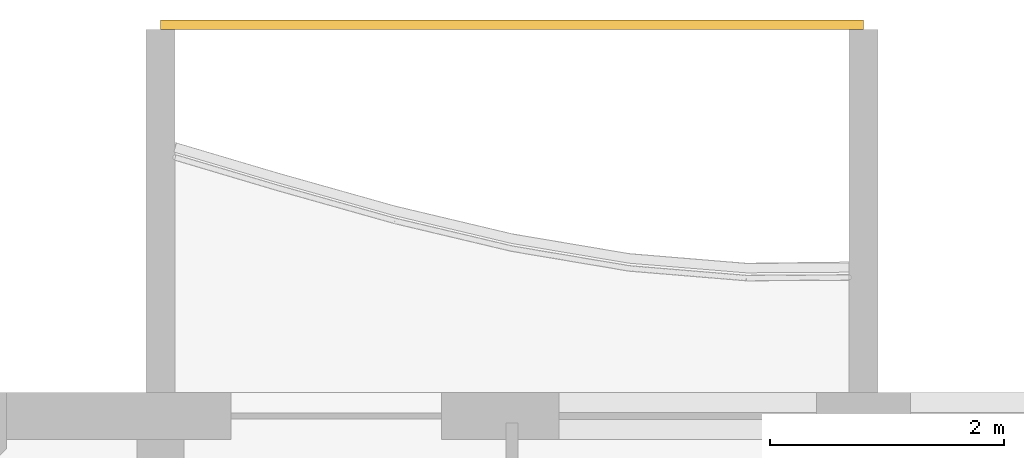
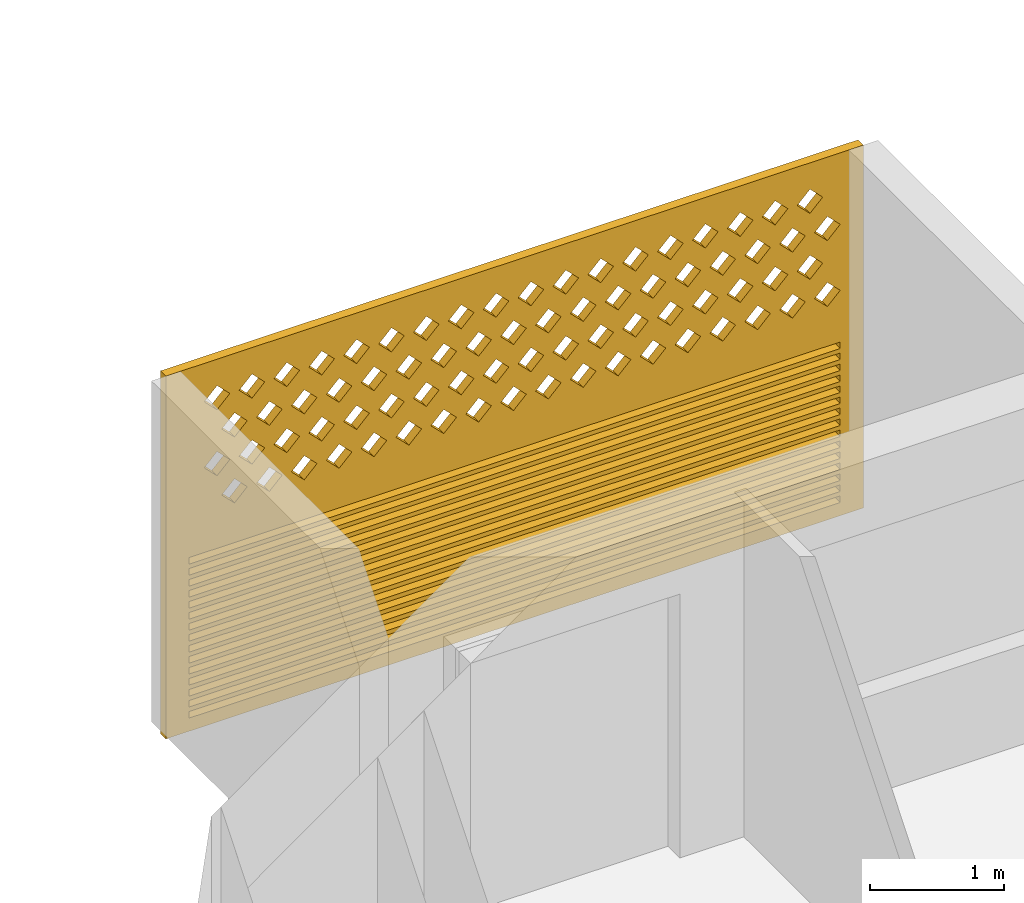
# One storey, part 21 of 38: 1 covering.
"""IFC4 building model written with IfcOpenShell, lengths in metres."""

from ifc_helpers import new_model, si_unit, direction, frame, origin, place, context, subcontext, project, spatial, polyline, outline, extrude, source, transform, mapped, material, material_profile, profile_set, type_object, element, save


model = new_model("IFC4")

# Units and contexts
model_context = context("Model", 3, precision=1e-05, world=origin(), true_north=direction((0.0, 1.0)))
body_context = subcontext(model_context, "Body", "Model", "MODEL_VIEW")
ifc_project = project(units=[si_unit("LENGTHUNIT", "METRE"), si_unit("AREAUNIT", "SQUARE_METRE"), si_unit("VOLUMEUNIT", "CUBIC_METRE"), si_unit("PLANEANGLEUNIT", "RADIAN"), si_unit("MASSUNIT", "GRAM", prefix="KILO")], contexts=[model_context])

# Site, building, storey
site_placement = place(None, origin())
site = spatial("IfcSite", under=ifc_project, at=site_placement, CompositionType="ELEMENT")
building_placement = place(site_placement, origin())
building = spatial("IfcBuilding", under=site, at=building_placement, Name="Poui Terraces", CompositionType="ELEMENT")
storey_placement = place(building_placement, frame((0.0, 0.0, 43.199951171875)))
storey = spatial("IfcBuildingStorey", under=building, at=storey_placement, Name="L11", CompositionType="ELEMENT", Elevation=43.199951171875)

# Covering
ifc_material = material(Name="Terracotta screen", Category="masonry")
ifc_material_profile = material_profile(ifc_material, outline(polyline([(-3.0, -1.64990234375), (3.0, -1.64990234375), (3.0, 1.64990234375), (-3.0, 1.64990234375), (-3.0, -1.64990234375)]), holes=[polyline([(-2.800048828125, 0.39990234375), (-2.68994140625, 0.2900390625), (-2.580078125, 0.39990234375), (-2.68994140625, 0.510009765625), (-2.800048828125, 0.39990234375)]), polyline([(-2.5, 0.39990234375), (-2.389892578125, 0.2900390625), (-2.280029296875, 0.39990234375), (-2.389892578125, 0.510009765625), (-2.5, 0.39990234375)]), polyline([(-2.199951171875, 0.39990234375), (-2.090087890625, 0.2900390625), (-1.97998046875, 0.39990234375), (-2.090087890625, 0.510009765625), (-2.199951171875, 0.39990234375)]), polyline([(-1.89990234375, 0.39990234375), (-1.7900390625, 0.2900390625), (-1.679931640625, 0.39990234375), (-1.7900390625, 0.510009765625), (-1.89990234375, 0.39990234375)]), polyline([(-1.60009765625, 0.39990234375), (-1.489990234375, 0.2900390625), (-1.3798828125, 0.39990234375), (-1.489990234375, 0.510009765625), (-1.60009765625, 0.39990234375)]), polyline([(-1.300048828125, 0.39990234375), (-1.18994140625, 0.2900390625), (-1.080078125, 0.39990234375), (-1.18994140625, 0.510009765625), (-1.300048828125, 0.39990234375)]), polyline([(-1.0, 0.39990234375), (-0.889892578125, 0.2900390625), (-0.780029296875, 0.39990234375), (-0.889892578125, 0.510009765625), (-1.0, 0.39990234375)]), polyline([(-0.699951171875, 0.39990234375), (-0.590087890625, 0.2900390625), (-0.47998046875, 0.39990234375), (-0.590087890625, 0.510009765625), (-0.699951171875, 0.39990234375)]), polyline([(-0.39990234375, 0.39990234375), (-0.2900390625, 0.2900390625), (-0.179931640625, 0.39990234375), (-0.2900390625, 0.510009765625), (-0.39990234375, 0.39990234375)]), polyline([(-0.10009765625, 0.39990234375), (0.010009765625, 0.2900390625), (0.1201171875, 0.39990234375), (0.010009765625, 0.510009765625), (-0.10009765625, 0.39990234375)]), polyline([(0.199951171875, 0.39990234375), (0.31005859375, 0.2900390625), (0.419921875, 0.39990234375), (0.31005859375, 0.510009765625), (0.199951171875, 0.39990234375)]), polyline([(0.5, 0.39990234375), (0.610107421875, 0.2900390625), (0.719970703125, 0.39990234375), (0.610107421875, 0.510009765625), (0.5, 0.39990234375)]), polyline([(0.800048828125, 0.39990234375), (0.909912109375, 0.2900390625), (1.02001953125, 0.39990234375), (0.909912109375, 0.510009765625), (0.800048828125, 0.39990234375)]), polyline([(1.10009765625, 0.39990234375), (1.2099609375, 0.2900390625), (1.320068359375, 0.39990234375), (1.2099609375, 0.510009765625), (1.10009765625, 0.39990234375)]), polyline([(1.39990234375, 0.39990234375), (1.510009765625, 0.2900390625), (1.6201171875, 0.39990234375), (1.510009765625, 0.510009765625), (1.39990234375, 0.39990234375)]), polyline([(1.699951171875, 0.39990234375), (1.81005859375, 0.2900390625), (1.919921875, 0.39990234375), (1.81005859375, 0.510009765625), (1.699951171875, 0.39990234375)]), polyline([(2.0, 0.39990234375), (2.110107421875, 0.2900390625), (2.219970703125, 0.39990234375), (2.110107421875, 0.510009765625), (2.0, 0.39990234375)]), polyline([(2.300048828125, 0.39990234375), (2.409912109375, 0.2900390625), (2.52001953125, 0.39990234375), (2.409912109375, 0.510009765625), (2.300048828125, 0.39990234375)]), polyline([(-2.64990234375, 0.699951171875), (-2.5400390625, 0.590087890625), (-2.429931640625, 0.699951171875), (-2.5400390625, 0.81005859375), (-2.64990234375, 0.699951171875)]), polyline([(-2.35009765625, 0.699951171875), (-2.239990234375, 0.590087890625), (-2.1298828125, 0.699951171875), (-2.239990234375, 0.81005859375), (-2.35009765625, 0.699951171875)]), polyline([(-2.050048828125, 0.699951171875), (-1.93994140625, 0.590087890625), (-1.830078125, 0.699951171875), (-1.93994140625, 0.81005859375), (-2.050048828125, 0.699951171875)]), polyline([(-1.75, 0.699951171875), (-1.639892578125, 0.590087890625), (-1.530029296875, 0.699951171875), (-1.639892578125, 0.81005859375), (-1.75, 0.699951171875)]), polyline([(-1.449951171875, 0.699951171875), (-1.340087890625, 0.590087890625), (-1.22998046875, 0.699951171875), (-1.340087890625, 0.81005859375), (-1.449951171875, 0.699951171875)]), polyline([(-1.14990234375, 0.699951171875), (-1.0400390625, 0.590087890625), (-0.929931640625, 0.699951171875), (-1.0400390625, 0.81005859375), (-1.14990234375, 0.699951171875)]), polyline([(-0.85009765625, 0.699951171875), (-0.739990234375, 0.590087890625), (-0.6298828125, 0.699951171875), (-0.739990234375, 0.81005859375), (-0.85009765625, 0.699951171875)]), polyline([(-0.550048828125, 0.699951171875), (-0.43994140625, 0.590087890625), (-0.330078125, 0.699951171875), (-0.43994140625, 0.81005859375), (-0.550048828125, 0.699951171875)]), polyline([(-0.25, 0.699951171875), (-0.139892578125, 0.590087890625), (-0.030029296875, 0.699951171875), (-0.139892578125, 0.81005859375), (-0.25, 0.699951171875)]), polyline([(0.050048828125, 0.699951171875), (0.159912109375, 0.590087890625), (0.27001953125, 0.699951171875), (0.159912109375, 0.81005859375), (0.050048828125, 0.699951171875)]), polyline([(0.35009765625, 0.699951171875), (0.4599609375, 0.590087890625), (0.570068359375, 0.699951171875), (0.4599609375, 0.81005859375), (0.35009765625, 0.699951171875)]), polyline([(0.64990234375, 0.699951171875), (0.760009765625, 0.590087890625), (0.8701171875, 0.699951171875), (0.760009765625, 0.81005859375), (0.64990234375, 0.699951171875)]), polyline([(0.949951171875, 0.699951171875), (1.06005859375, 0.590087890625), (1.169921875, 0.699951171875), (1.06005859375, 0.81005859375), (0.949951171875, 0.699951171875)]), polyline([(1.25, 0.699951171875), (1.360107421875, 0.590087890625), (1.469970703125, 0.699951171875), (1.360107421875, 0.81005859375), (1.25, 0.699951171875)]), polyline([(1.550048828125, 0.699951171875), (1.659912109375, 0.590087890625), (1.77001953125, 0.699951171875), (1.659912109375, 0.81005859375), (1.550048828125, 0.699951171875)]), polyline([(1.85009765625, 0.699951171875), (1.9599609375, 0.590087890625), (2.070068359375, 0.699951171875), (1.9599609375, 0.81005859375), (1.85009765625, 0.699951171875)]), polyline([(2.14990234375, 0.699951171875), (2.260009765625, 0.590087890625), (2.3701171875, 0.699951171875), (2.260009765625, 0.81005859375), (2.14990234375, 0.699951171875)]), polyline([(2.449951171875, 0.699951171875), (2.56005859375, 0.590087890625), (2.669921875, 0.699951171875), (2.56005859375, 0.81005859375), (2.449951171875, 0.699951171875)]), polyline([(-2.800048828125, 1.0), (-2.68994140625, 0.889892578125), (-2.580078125, 1.0), (-2.68994140625, 1.110107421875), (-2.800048828125, 1.0)]), polyline([(-2.5, 1.0), (-2.389892578125, 0.889892578125), (-2.280029296875, 1.0), (-2.389892578125, 1.110107421875), (-2.5, 1.0)]), polyline([(-2.199951171875, 1.0), (-2.090087890625, 0.889892578125), (-1.97998046875, 1.0), (-2.090087890625, 1.110107421875), (-2.199951171875, 1.0)]), polyline([(-1.89990234375, 1.0), (-1.7900390625, 0.889892578125), (-1.679931640625, 1.0), (-1.7900390625, 1.110107421875), (-1.89990234375, 1.0)]), polyline([(-1.60009765625, 1.0), (-1.489990234375, 0.889892578125), (-1.3798828125, 1.0), (-1.489990234375, 1.110107421875), (-1.60009765625, 1.0)]), polyline([(-1.300048828125, 1.0), (-1.18994140625, 0.889892578125), (-1.080078125, 1.0), (-1.18994140625, 1.110107421875), (-1.300048828125, 1.0)]), polyline([(-1.0, 1.0), (-0.889892578125, 0.889892578125), (-0.780029296875, 1.0), (-0.889892578125, 1.110107421875), (-1.0, 1.0)]), polyline([(-0.699951171875, 1.0), (-0.590087890625, 0.889892578125), (-0.47998046875, 1.0), (-0.590087890625, 1.110107421875), (-0.699951171875, 1.0)]), polyline([(-0.39990234375, 1.0), (-0.2900390625, 0.889892578125), (-0.179931640625, 1.0), (-0.2900390625, 1.110107421875), (-0.39990234375, 1.0)]), polyline([(-0.10009765625, 1.0), (0.010009765625, 0.889892578125), (0.1201171875, 1.0), (0.010009765625, 1.110107421875), (-0.10009765625, 1.0)]), polyline([(0.199951171875, 1.0), (0.31005859375, 0.889892578125), (0.419921875, 1.0), (0.31005859375, 1.110107421875), (0.199951171875, 1.0)]), polyline([(0.5, 1.0), (0.610107421875, 0.889892578125), (0.719970703125, 1.0), (0.610107421875, 1.110107421875), (0.5, 1.0)]), polyline([(0.800048828125, 1.0), (0.909912109375, 0.889892578125), (1.02001953125, 1.0), (0.909912109375, 1.110107421875), (0.800048828125, 1.0)]), polyline([(1.10009765625, 1.0), (1.2099609375, 0.889892578125), (1.320068359375, 1.0), (1.2099609375, 1.110107421875), (1.10009765625, 1.0)]), polyline([(1.39990234375, 1.0), (1.510009765625, 0.889892578125), (1.6201171875, 1.0), (1.510009765625, 1.110107421875), (1.39990234375, 1.0)]), polyline([(1.699951171875, 1.0), (1.81005859375, 0.889892578125), (1.919921875, 1.0), (1.81005859375, 1.110107421875), (1.699951171875, 1.0)]), polyline([(2.0, 1.0), (2.110107421875, 0.889892578125), (2.219970703125, 1.0), (2.110107421875, 1.110107421875), (2.0, 1.0)]), polyline([(2.300048828125, 1.0), (2.409912109375, 0.889892578125), (2.52001953125, 1.0), (2.409912109375, 1.110107421875), (2.300048828125, 1.0)]), polyline([(-2.64990234375, 1.300048828125), (-2.5400390625, 1.18994140625), (-2.429931640625, 1.300048828125), (-2.5400390625, 1.409912109375), (-2.64990234375, 1.300048828125)]), polyline([(-2.35009765625, 1.300048828125), (-2.239990234375, 1.18994140625), (-2.1298828125, 1.300048828125), (-2.239990234375, 1.409912109375), (-2.35009765625, 1.300048828125)]), polyline([(-2.050048828125, 1.300048828125), (-1.93994140625, 1.18994140625), (-1.830078125, 1.300048828125), (-1.93994140625, 1.409912109375), (-2.050048828125, 1.300048828125)]), polyline([(-1.75, 1.300048828125), (-1.639892578125, 1.18994140625), (-1.530029296875, 1.300048828125), (-1.639892578125, 1.409912109375), (-1.75, 1.300048828125)]), polyline([(-1.449951171875, 1.300048828125), (-1.340087890625, 1.18994140625), (-1.22998046875, 1.300048828125), (-1.340087890625, 1.409912109375), (-1.449951171875, 1.300048828125)]), polyline([(-1.14990234375, 1.300048828125), (-1.0400390625, 1.18994140625), (-0.929931640625, 1.300048828125), (-1.0400390625, 1.409912109375), (-1.14990234375, 1.300048828125)]), polyline([(-0.85009765625, 1.300048828125), (-0.739990234375, 1.18994140625), (-0.6298828125, 1.300048828125), (-0.739990234375, 1.409912109375), (-0.85009765625, 1.300048828125)]), polyline([(-0.550048828125, 1.300048828125), (-0.43994140625, 1.18994140625), (-0.330078125, 1.300048828125), (-0.43994140625, 1.409912109375), (-0.550048828125, 1.300048828125)]), polyline([(-0.25, 1.300048828125), (-0.139892578125, 1.18994140625), (-0.030029296875, 1.300048828125), (-0.139892578125, 1.409912109375), (-0.25, 1.300048828125)]), polyline([(0.050048828125, 1.300048828125), (0.159912109375, 1.18994140625), (0.27001953125, 1.300048828125), (0.159912109375, 1.409912109375), (0.050048828125, 1.300048828125)]), polyline([(0.35009765625, 1.300048828125), (0.4599609375, 1.18994140625), (0.570068359375, 1.300048828125), (0.4599609375, 1.409912109375), (0.35009765625, 1.300048828125)]), polyline([(0.64990234375, 1.300048828125), (0.760009765625, 1.18994140625), (0.8701171875, 1.300048828125), (0.760009765625, 1.409912109375), (0.64990234375, 1.300048828125)]), polyline([(0.949951171875, 1.300048828125), (1.06005859375, 1.18994140625), (1.169921875, 1.300048828125), (1.06005859375, 1.409912109375), (0.949951171875, 1.300048828125)]), polyline([(1.25, 1.300048828125), (1.360107421875, 1.18994140625), (1.469970703125, 1.300048828125), (1.360107421875, 1.409912109375), (1.25, 1.300048828125)]), polyline([(1.550048828125, 1.300048828125), (1.659912109375, 1.18994140625), (1.77001953125, 1.300048828125), (1.659912109375, 1.409912109375), (1.550048828125, 1.300048828125)]), polyline([(1.85009765625, 1.300048828125), (1.9599609375, 1.18994140625), (2.070068359375, 1.300048828125), (1.9599609375, 1.409912109375), (1.85009765625, 1.300048828125)]), polyline([(2.14990234375, 1.300048828125), (2.260009765625, 1.18994140625), (2.3701171875, 1.300048828125), (2.260009765625, 1.409912109375), (2.14990234375, 1.300048828125)]), polyline([(2.449951171875, 1.300048828125), (2.56005859375, 1.18994140625), (2.669921875, 1.300048828125), (2.56005859375, 1.409912109375), (2.449951171875, 1.300048828125)]), polyline([(-2.800048828125, -1.530029296875), (2.800048828125, -1.530029296875), (2.800048828125, -1.469970703125), (-2.800048828125, -1.469970703125), (-2.800048828125, -1.530029296875)]), polyline([(-2.800048828125, -1.429931640625), (2.800048828125, -1.429931640625), (2.800048828125, -1.3701171875), (-2.800048828125, -1.3701171875), (-2.800048828125, -1.429931640625)]), polyline([(-2.800048828125, -1.330078125), (2.800048828125, -1.330078125), (2.800048828125, -1.27001953125), (-2.800048828125, -1.27001953125), (-2.800048828125, -1.330078125)]), polyline([(-2.800048828125, -1.22998046875), (2.800048828125, -1.22998046875), (2.800048828125, -1.169921875), (-2.800048828125, -1.169921875), (-2.800048828125, -1.22998046875)]), polyline([(-2.800048828125, -1.1298828125), (2.800048828125, -1.1298828125), (2.800048828125, -1.070068359375), (-2.800048828125, -1.070068359375), (-2.800048828125, -1.1298828125)]), polyline([(-2.800048828125, -1.030029296875), (2.800048828125, -1.030029296875), (2.800048828125, -0.969970703125), (-2.800048828125, -0.969970703125), (-2.800048828125, -1.030029296875)]), polyline([(-2.800048828125, -0.929931640625), (2.800048828125, -0.929931640625), (2.800048828125, -0.8701171875), (-2.800048828125, -0.8701171875), (-2.800048828125, -0.929931640625)]), polyline([(-2.800048828125, -0.830078125), (2.800048828125, -0.830078125), (2.800048828125, -0.77001953125), (-2.800048828125, -0.77001953125), (-2.800048828125, -0.830078125)]), polyline([(-2.800048828125, -0.72998046875), (2.800048828125, -0.72998046875), (2.800048828125, -0.669921875), (-2.800048828125, -0.669921875), (-2.800048828125, -0.72998046875)]), polyline([(-2.800048828125, -0.6298828125), (2.800048828125, -0.6298828125), (2.800048828125, -0.570068359375), (-2.800048828125, -0.570068359375), (-2.800048828125, -0.6298828125)]), polyline([(-2.800048828125, -0.530029296875), (2.800048828125, -0.530029296875), (2.800048828125, -0.469970703125), (-2.800048828125, -0.469970703125), (-2.800048828125, -0.530029296875)]), polyline([(-2.800048828125, -0.429931640625), (2.800048828125, -0.429931640625), (2.800048828125, -0.3701171875), (-2.800048828125, -0.3701171875), (-2.800048828125, -0.429931640625)]), polyline([(-2.800048828125, -0.330078125), (2.800048828125, -0.330078125), (2.800048828125, -0.27001953125), (-2.800048828125, -0.27001953125), (-2.800048828125, -0.330078125)]), polyline([(-2.800048828125, -0.22998046875), (2.800048828125, -0.22998046875), (2.800048828125, -0.169921875), (-2.800048828125, -0.169921875), (-2.800048828125, -0.22998046875)]), polyline([(-2.800048828125, -0.1298828125), (2.800048828125, -0.1298828125), (2.800048828125, -0.070068359375), (-2.800048828125, -0.070068359375), (-2.800048828125, -0.1298828125)])]), Name="TERRACOTTA SCREEN AND JALOUSIE LOUVRE 6000X3300")
ifc_profile_set = profile_set([ifc_material_profile], Name="Terracotta screen")
covering_type = type_object("IfcCoveringType", Name="TERRACOTTA SCREEN AND JALOUSIE LOUVRE 6000X3300", PredefinedType="CLADDING", material=ifc_profile_set)
shared_shape = source(origin(), body_context, "Body", "SweptSolid", [
    extrude(outline(polyline([(-3.0, -1.64990234375), (3.0, -1.64990234375), (3.0, 1.64990234375), (-3.0, 1.64990234375), (-3.0, -1.64990234375)]), holes=[polyline([(-2.800048828125, 0.39990234375), (-2.68994140625, 0.2900390625), (-2.580078125, 0.39990234375), (-2.68994140625, 0.510009765625), (-2.800048828125, 0.39990234375)]), polyline([(-2.5, 0.39990234375), (-2.389892578125, 0.2900390625), (-2.280029296875, 0.39990234375), (-2.389892578125, 0.510009765625), (-2.5, 0.39990234375)]), polyline([(-2.199951171875, 0.39990234375), (-2.090087890625, 0.2900390625), (-1.97998046875, 0.39990234375), (-2.090087890625, 0.510009765625), (-2.199951171875, 0.39990234375)]), polyline([(-1.89990234375, 0.39990234375), (-1.7900390625, 0.2900390625), (-1.679931640625, 0.39990234375), (-1.7900390625, 0.510009765625), (-1.89990234375, 0.39990234375)]), polyline([(-1.60009765625, 0.39990234375), (-1.489990234375, 0.2900390625), (-1.3798828125, 0.39990234375), (-1.489990234375, 0.510009765625), (-1.60009765625, 0.39990234375)]), polyline([(-1.300048828125, 0.39990234375), (-1.18994140625, 0.2900390625), (-1.080078125, 0.39990234375), (-1.18994140625, 0.510009765625), (-1.300048828125, 0.39990234375)]), polyline([(-1.0, 0.39990234375), (-0.889892578125, 0.2900390625), (-0.780029296875, 0.39990234375), (-0.889892578125, 0.510009765625), (-1.0, 0.39990234375)]), polyline([(-0.699951171875, 0.39990234375), (-0.590087890625, 0.2900390625), (-0.47998046875, 0.39990234375), (-0.590087890625, 0.510009765625), (-0.699951171875, 0.39990234375)]), polyline([(-0.39990234375, 0.39990234375), (-0.2900390625, 0.2900390625), (-0.179931640625, 0.39990234375), (-0.2900390625, 0.510009765625), (-0.39990234375, 0.39990234375)]), polyline([(-0.10009765625, 0.39990234375), (0.010009765625, 0.2900390625), (0.1201171875, 0.39990234375), (0.010009765625, 0.510009765625), (-0.10009765625, 0.39990234375)]), polyline([(0.199951171875, 0.39990234375), (0.31005859375, 0.2900390625), (0.419921875, 0.39990234375), (0.31005859375, 0.510009765625), (0.199951171875, 0.39990234375)]), polyline([(0.5, 0.39990234375), (0.610107421875, 0.2900390625), (0.719970703125, 0.39990234375), (0.610107421875, 0.510009765625), (0.5, 0.39990234375)]), polyline([(0.800048828125, 0.39990234375), (0.909912109375, 0.2900390625), (1.02001953125, 0.39990234375), (0.909912109375, 0.510009765625), (0.800048828125, 0.39990234375)]), polyline([(1.10009765625, 0.39990234375), (1.2099609375, 0.2900390625), (1.320068359375, 0.39990234375), (1.2099609375, 0.510009765625), (1.10009765625, 0.39990234375)]), polyline([(1.39990234375, 0.39990234375), (1.510009765625, 0.2900390625), (1.6201171875, 0.39990234375), (1.510009765625, 0.510009765625), (1.39990234375, 0.39990234375)]), polyline([(1.699951171875, 0.39990234375), (1.81005859375, 0.2900390625), (1.919921875, 0.39990234375), (1.81005859375, 0.510009765625), (1.699951171875, 0.39990234375)]), polyline([(2.0, 0.39990234375), (2.110107421875, 0.2900390625), (2.219970703125, 0.39990234375), (2.110107421875, 0.510009765625), (2.0, 0.39990234375)]), polyline([(2.300048828125, 0.39990234375), (2.409912109375, 0.2900390625), (2.52001953125, 0.39990234375), (2.409912109375, 0.510009765625), (2.300048828125, 0.39990234375)]), polyline([(-2.64990234375, 0.699951171875), (-2.5400390625, 0.590087890625), (-2.429931640625, 0.699951171875), (-2.5400390625, 0.81005859375), (-2.64990234375, 0.699951171875)]), polyline([(-2.35009765625, 0.699951171875), (-2.239990234375, 0.590087890625), (-2.1298828125, 0.699951171875), (-2.239990234375, 0.81005859375), (-2.35009765625, 0.699951171875)]), polyline([(-2.050048828125, 0.699951171875), (-1.93994140625, 0.590087890625), (-1.830078125, 0.699951171875), (-1.93994140625, 0.81005859375), (-2.050048828125, 0.699951171875)]), polyline([(-1.75, 0.699951171875), (-1.639892578125, 0.590087890625), (-1.530029296875, 0.699951171875), (-1.639892578125, 0.81005859375), (-1.75, 0.699951171875)]), polyline([(-1.449951171875, 0.699951171875), (-1.340087890625, 0.590087890625), (-1.22998046875, 0.699951171875), (-1.340087890625, 0.81005859375), (-1.449951171875, 0.699951171875)]), polyline([(-1.14990234375, 0.699951171875), (-1.0400390625, 0.590087890625), (-0.929931640625, 0.699951171875), (-1.0400390625, 0.81005859375), (-1.14990234375, 0.699951171875)]), polyline([(-0.85009765625, 0.699951171875), (-0.739990234375, 0.590087890625), (-0.6298828125, 0.699951171875), (-0.739990234375, 0.81005859375), (-0.85009765625, 0.699951171875)]), polyline([(-0.550048828125, 0.699951171875), (-0.43994140625, 0.590087890625), (-0.330078125, 0.699951171875), (-0.43994140625, 0.81005859375), (-0.550048828125, 0.699951171875)]), polyline([(-0.25, 0.699951171875), (-0.139892578125, 0.590087890625), (-0.030029296875, 0.699951171875), (-0.139892578125, 0.81005859375), (-0.25, 0.699951171875)]), polyline([(0.050048828125, 0.699951171875), (0.159912109375, 0.590087890625), (0.27001953125, 0.699951171875), (0.159912109375, 0.81005859375), (0.050048828125, 0.699951171875)]), polyline([(0.35009765625, 0.699951171875), (0.4599609375, 0.590087890625), (0.570068359375, 0.699951171875), (0.4599609375, 0.81005859375), (0.35009765625, 0.699951171875)]), polyline([(0.64990234375, 0.699951171875), (0.760009765625, 0.590087890625), (0.8701171875, 0.699951171875), (0.760009765625, 0.81005859375), (0.64990234375, 0.699951171875)]), polyline([(0.949951171875, 0.699951171875), (1.06005859375, 0.590087890625), (1.169921875, 0.699951171875), (1.06005859375, 0.81005859375), (0.949951171875, 0.699951171875)]), polyline([(1.25, 0.699951171875), (1.360107421875, 0.590087890625), (1.469970703125, 0.699951171875), (1.360107421875, 0.81005859375), (1.25, 0.699951171875)]), polyline([(1.550048828125, 0.699951171875), (1.659912109375, 0.590087890625), (1.77001953125, 0.699951171875), (1.659912109375, 0.81005859375), (1.550048828125, 0.699951171875)]), polyline([(1.85009765625, 0.699951171875), (1.9599609375, 0.590087890625), (2.070068359375, 0.699951171875), (1.9599609375, 0.81005859375), (1.85009765625, 0.699951171875)]), polyline([(2.14990234375, 0.699951171875), (2.260009765625, 0.590087890625), (2.3701171875, 0.699951171875), (2.260009765625, 0.81005859375), (2.14990234375, 0.699951171875)]), polyline([(2.449951171875, 0.699951171875), (2.56005859375, 0.590087890625), (2.669921875, 0.699951171875), (2.56005859375, 0.81005859375), (2.449951171875, 0.699951171875)]), polyline([(-2.800048828125, 1.0), (-2.68994140625, 0.889892578125), (-2.580078125, 1.0), (-2.68994140625, 1.110107421875), (-2.800048828125, 1.0)]), polyline([(-2.5, 1.0), (-2.389892578125, 0.889892578125), (-2.280029296875, 1.0), (-2.389892578125, 1.110107421875), (-2.5, 1.0)]), polyline([(-2.199951171875, 1.0), (-2.090087890625, 0.889892578125), (-1.97998046875, 1.0), (-2.090087890625, 1.110107421875), (-2.199951171875, 1.0)]), polyline([(-1.89990234375, 1.0), (-1.7900390625, 0.889892578125), (-1.679931640625, 1.0), (-1.7900390625, 1.110107421875), (-1.89990234375, 1.0)]), polyline([(-1.60009765625, 1.0), (-1.489990234375, 0.889892578125), (-1.3798828125, 1.0), (-1.489990234375, 1.110107421875), (-1.60009765625, 1.0)]), polyline([(-1.300048828125, 1.0), (-1.18994140625, 0.889892578125), (-1.080078125, 1.0), (-1.18994140625, 1.110107421875), (-1.300048828125, 1.0)]), polyline([(-1.0, 1.0), (-0.889892578125, 0.889892578125), (-0.780029296875, 1.0), (-0.889892578125, 1.110107421875), (-1.0, 1.0)]), polyline([(-0.699951171875, 1.0), (-0.590087890625, 0.889892578125), (-0.47998046875, 1.0), (-0.590087890625, 1.110107421875), (-0.699951171875, 1.0)]), polyline([(-0.39990234375, 1.0), (-0.2900390625, 0.889892578125), (-0.179931640625, 1.0), (-0.2900390625, 1.110107421875), (-0.39990234375, 1.0)]), polyline([(-0.10009765625, 1.0), (0.010009765625, 0.889892578125), (0.1201171875, 1.0), (0.010009765625, 1.110107421875), (-0.10009765625, 1.0)]), polyline([(0.199951171875, 1.0), (0.31005859375, 0.889892578125), (0.419921875, 1.0), (0.31005859375, 1.110107421875), (0.199951171875, 1.0)]), polyline([(0.5, 1.0), (0.610107421875, 0.889892578125), (0.719970703125, 1.0), (0.610107421875, 1.110107421875), (0.5, 1.0)]), polyline([(0.800048828125, 1.0), (0.909912109375, 0.889892578125), (1.02001953125, 1.0), (0.909912109375, 1.110107421875), (0.800048828125, 1.0)]), polyline([(1.10009765625, 1.0), (1.2099609375, 0.889892578125), (1.320068359375, 1.0), (1.2099609375, 1.110107421875), (1.10009765625, 1.0)]), polyline([(1.39990234375, 1.0), (1.510009765625, 0.889892578125), (1.6201171875, 1.0), (1.510009765625, 1.110107421875), (1.39990234375, 1.0)]), polyline([(1.699951171875, 1.0), (1.81005859375, 0.889892578125), (1.919921875, 1.0), (1.81005859375, 1.110107421875), (1.699951171875, 1.0)]), polyline([(2.0, 1.0), (2.110107421875, 0.889892578125), (2.219970703125, 1.0), (2.110107421875, 1.110107421875), (2.0, 1.0)]), polyline([(2.300048828125, 1.0), (2.409912109375, 0.889892578125), (2.52001953125, 1.0), (2.409912109375, 1.110107421875), (2.300048828125, 1.0)]), polyline([(-2.64990234375, 1.300048828125), (-2.5400390625, 1.18994140625), (-2.429931640625, 1.300048828125), (-2.5400390625, 1.409912109375), (-2.64990234375, 1.300048828125)]), polyline([(-2.35009765625, 1.300048828125), (-2.239990234375, 1.18994140625), (-2.1298828125, 1.300048828125), (-2.239990234375, 1.409912109375), (-2.35009765625, 1.300048828125)]), polyline([(-2.050048828125, 1.300048828125), (-1.93994140625, 1.18994140625), (-1.830078125, 1.300048828125), (-1.93994140625, 1.409912109375), (-2.050048828125, 1.300048828125)]), polyline([(-1.75, 1.300048828125), (-1.639892578125, 1.18994140625), (-1.530029296875, 1.300048828125), (-1.639892578125, 1.409912109375), (-1.75, 1.300048828125)]), polyline([(-1.449951171875, 1.300048828125), (-1.340087890625, 1.18994140625), (-1.22998046875, 1.300048828125), (-1.340087890625, 1.409912109375), (-1.449951171875, 1.300048828125)]), polyline([(-1.14990234375, 1.300048828125), (-1.0400390625, 1.18994140625), (-0.929931640625, 1.300048828125), (-1.0400390625, 1.409912109375), (-1.14990234375, 1.300048828125)]), polyline([(-0.85009765625, 1.300048828125), (-0.739990234375, 1.18994140625), (-0.6298828125, 1.300048828125), (-0.739990234375, 1.409912109375), (-0.85009765625, 1.300048828125)]), polyline([(-0.550048828125, 1.300048828125), (-0.43994140625, 1.18994140625), (-0.330078125, 1.300048828125), (-0.43994140625, 1.409912109375), (-0.550048828125, 1.300048828125)]), polyline([(-0.25, 1.300048828125), (-0.139892578125, 1.18994140625), (-0.030029296875, 1.300048828125), (-0.139892578125, 1.409912109375), (-0.25, 1.300048828125)]), polyline([(0.050048828125, 1.300048828125), (0.159912109375, 1.18994140625), (0.27001953125, 1.300048828125), (0.159912109375, 1.409912109375), (0.050048828125, 1.300048828125)]), polyline([(0.35009765625, 1.300048828125), (0.4599609375, 1.18994140625), (0.570068359375, 1.300048828125), (0.4599609375, 1.409912109375), (0.35009765625, 1.300048828125)]), polyline([(0.64990234375, 1.300048828125), (0.760009765625, 1.18994140625), (0.8701171875, 1.300048828125), (0.760009765625, 1.409912109375), (0.64990234375, 1.300048828125)]), polyline([(0.949951171875, 1.300048828125), (1.06005859375, 1.18994140625), (1.169921875, 1.300048828125), (1.06005859375, 1.409912109375), (0.949951171875, 1.300048828125)]), polyline([(1.25, 1.300048828125), (1.360107421875, 1.18994140625), (1.469970703125, 1.300048828125), (1.360107421875, 1.409912109375), (1.25, 1.300048828125)]), polyline([(1.550048828125, 1.300048828125), (1.659912109375, 1.18994140625), (1.77001953125, 1.300048828125), (1.659912109375, 1.409912109375), (1.550048828125, 1.300048828125)]), polyline([(1.85009765625, 1.300048828125), (1.9599609375, 1.18994140625), (2.070068359375, 1.300048828125), (1.9599609375, 1.409912109375), (1.85009765625, 1.300048828125)]), polyline([(2.14990234375, 1.300048828125), (2.260009765625, 1.18994140625), (2.3701171875, 1.300048828125), (2.260009765625, 1.409912109375), (2.14990234375, 1.300048828125)]), polyline([(2.449951171875, 1.300048828125), (2.56005859375, 1.18994140625), (2.669921875, 1.300048828125), (2.56005859375, 1.409912109375), (2.449951171875, 1.300048828125)]), polyline([(-2.800048828125, -1.530029296875), (2.800048828125, -1.530029296875), (2.800048828125, -1.469970703125), (-2.800048828125, -1.469970703125), (-2.800048828125, -1.530029296875)]), polyline([(-2.800048828125, -1.429931640625), (2.800048828125, -1.429931640625), (2.800048828125, -1.3701171875), (-2.800048828125, -1.3701171875), (-2.800048828125, -1.429931640625)]), polyline([(-2.800048828125, -1.330078125), (2.800048828125, -1.330078125), (2.800048828125, -1.27001953125), (-2.800048828125, -1.27001953125), (-2.800048828125, -1.330078125)]), polyline([(-2.800048828125, -1.22998046875), (2.800048828125, -1.22998046875), (2.800048828125, -1.169921875), (-2.800048828125, -1.169921875), (-2.800048828125, -1.22998046875)]), polyline([(-2.800048828125, -1.1298828125), (2.800048828125, -1.1298828125), (2.800048828125, -1.070068359375), (-2.800048828125, -1.070068359375), (-2.800048828125, -1.1298828125)]), polyline([(-2.800048828125, -1.030029296875), (2.800048828125, -1.030029296875), (2.800048828125, -0.969970703125), (-2.800048828125, -0.969970703125), (-2.800048828125, -1.030029296875)]), polyline([(-2.800048828125, -0.929931640625), (2.800048828125, -0.929931640625), (2.800048828125, -0.8701171875), (-2.800048828125, -0.8701171875), (-2.800048828125, -0.929931640625)]), polyline([(-2.800048828125, -0.830078125), (2.800048828125, -0.830078125), (2.800048828125, -0.77001953125), (-2.800048828125, -0.77001953125), (-2.800048828125, -0.830078125)]), polyline([(-2.800048828125, -0.72998046875), (2.800048828125, -0.72998046875), (2.800048828125, -0.669921875), (-2.800048828125, -0.669921875), (-2.800048828125, -0.72998046875)]), polyline([(-2.800048828125, -0.6298828125), (2.800048828125, -0.6298828125), (2.800048828125, -0.570068359375), (-2.800048828125, -0.570068359375), (-2.800048828125, -0.6298828125)]), polyline([(-2.800048828125, -0.530029296875), (2.800048828125, -0.530029296875), (2.800048828125, -0.469970703125), (-2.800048828125, -0.469970703125), (-2.800048828125, -0.530029296875)]), polyline([(-2.800048828125, -0.429931640625), (2.800048828125, -0.429931640625), (2.800048828125, -0.3701171875), (-2.800048828125, -0.3701171875), (-2.800048828125, -0.429931640625)]), polyline([(-2.800048828125, -0.330078125), (2.800048828125, -0.330078125), (2.800048828125, -0.27001953125), (-2.800048828125, -0.27001953125), (-2.800048828125, -0.330078125)]), polyline([(-2.800048828125, -0.22998046875), (2.800048828125, -0.22998046875), (2.800048828125, -0.169921875), (-2.800048828125, -0.169921875), (-2.800048828125, -0.22998046875)]), polyline([(-2.800048828125, -0.1298828125), (2.800048828125, -0.1298828125), (2.800048828125, -0.070068359375), (-2.800048828125, -0.070068359375), (-2.800048828125, -0.1298828125)])]), origin(), (0.0, 0.0, 1.0), 0.079833984375),
])
covering_placement = place(storey_placement, frame((9.0, 48.10009765625, 1.449951171875), z_axis=(0.0, 1.0, 0.0), x_axis=(-1.0, 0.0, 0.0)))
element("IfcCovering", 1, at=covering_placement, inside=storey, type_object=covering_type, Name="SOLAR SCREEN AND JALOUSIE LOUVRE", PredefinedType="CLADDING", context=body_context, shape_type="MappedRepresentation", body=[
    mapped(shared_shape, transform((0.0, 0.0, 0.0))),
])

save(model, "model.ifc")
